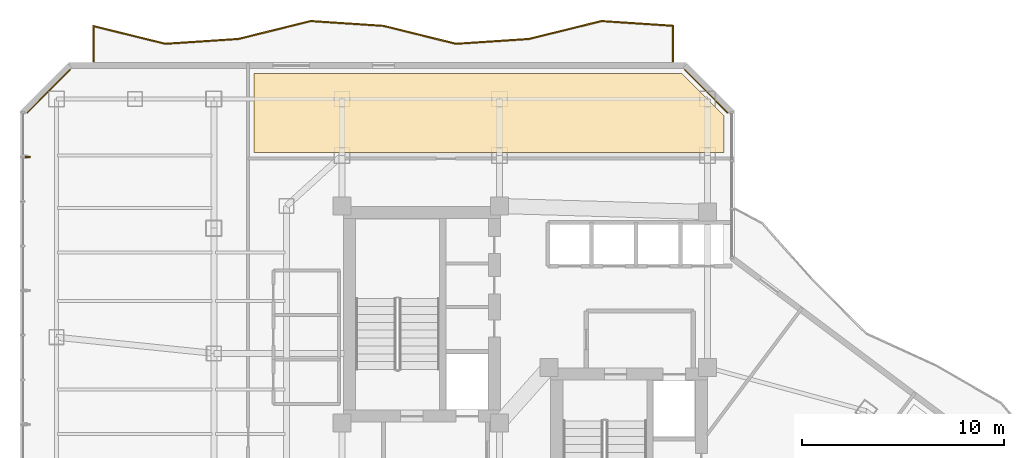
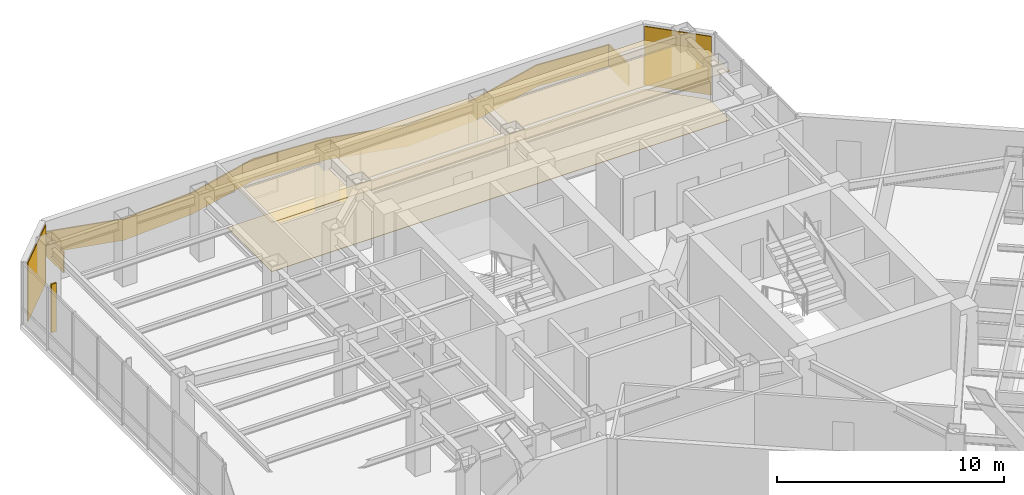
# One storey, part 28 of 28: 4 coverings, 1 railing, 1 shading device.
"""IFC4 building model written with IfcOpenShell, lengths in metres."""

import ifcopenshell
import ifcopenshell.guid

model = None  # the IFC model being written
_history = None  # IfcOwnerHistory: only IFC2X3 demands one
_inside = {}  # id of a spatial element -> (the spatial element, [elements in it])
_under = {}  # id of a project, library or spatial element -> (it, [spatial elements below it])
_declared = {}  # id of a project -> (the project, [libraries it declares])
_typed = {}  # id of a type object -> (the type object, [elements of that type])
_made_of = {}  # id of a material, layer set ... -> (it, [elements and type objects made of it])


def new_model(schema):
    """Start an empty IFC model of exactly this schema.

    Asked for "IFC4X3", IfcOpenShell would pick the latest addendum, in which some entities
    have other attributes; the version numbers below select the first issue.
    IFC2X3 requires an IfcOwnerHistory on every rooted entity: one is made here for all.
    """
    global model, _history
    if schema == "IFC4X3":
        model = ifcopenshell.file(schema_version=(4, 3, 0, 0))
    else:
        model = ifcopenshell.file(schema=schema)
    _inside.clear()
    _under.clear()
    _declared.clear()
    _typed.clear()
    _made_of.clear()
    _history = None
    if model.schema == "IFC2X3":
        org = make("IfcOrganization", Name="unknown")
        user = make(
            "IfcPersonAndOrganization",
            ThePerson=make("IfcPerson", FamilyName="unknown"),
            TheOrganization=org,
        )
        app = make(
            "IfcApplication",
            ApplicationDeveloper=org,
            Version="unknown",
            ApplicationFullName="unknown",
            ApplicationIdentifier="unknown",
        )
        _history = make(
            "IfcOwnerHistory",
            OwningUser=user,
            OwningApplication=app,
            ChangeAction="ADDED",
            CreationDate=0,
        )
    return model


def make(cls, **values):
    """One entity of the class cls with the attributes given. An attribute that is None is left unset."""
    return model.create_entity(
        cls, **{name: value for name, value in values.items() if value is not None}
    )


def rooted(cls, **values):
    """An entity with a GlobalId (a new one), such as an element, a storey or a relation."""
    return make(cls, GlobalId=ifcopenshell.guid.new(), OwnerHistory=_history, **values)


def si_unit(unit_type, name, prefix=None):
    """IfcSIUnit, for example si_unit("LENGTHUNIT", "METRE", prefix="MILLI")."""
    return make("IfcSIUnit", UnitType=unit_type, Prefix=prefix, Name=name)


def assignment(units):
    """IfcUnitAssignment: the units of a project."""
    return None if units is None else make("IfcUnitAssignment", Units=units)


def point(xyz):
    """IfcCartesianPoint."""
    return None if xyz is None else make("IfcCartesianPoint", Coordinates=xyz)


def direction(xyz):
    """IfcDirection."""
    return None if xyz is None else make("IfcDirection", DirectionRatios=xyz)


def frame(location, z_axis=None, x_axis=None):
    """IfcAxis2Placement3D, a coordinate frame: its origin and axes. An axis left out is left unset."""
    return make(
        "IfcAxis2Placement3D",
        Location=point(location),
        Axis=direction(z_axis),
        RefDirection=direction(x_axis),
    )


def frame_2d(location, x_axis=None):
    """IfcAxis2Placement2D, a coordinate frame in the plane: its origin and x axis."""
    return make(
        "IfcAxis2Placement2D", Location=point(location), RefDirection=direction(x_axis)
    )


def origin():
    """The frame at (0, 0, 0) with its axes left unset."""
    return frame((0.0, 0.0, 0.0))


def origin_2d():
    """The frame at (0, 0) in the plane with its x axis left unset."""
    return frame_2d((0.0, 0.0))


def place(relative_to, where):
    """IfcLocalPlacement: puts the frame where relative to a parent placement (None: the world)."""
    return make(
        "IfcLocalPlacement", PlacementRelTo=relative_to, RelativePlacement=where
    )


def context(
    kind, dimensions, precision=None, world=None, true_north=None, identifier=None
):
    """IfcGeometricRepresentationContext, for example the 3D "Model" context."""
    return make(
        "IfcGeometricRepresentationContext",
        ContextIdentifier=identifier,
        ContextType=kind,
        CoordinateSpaceDimension=dimensions,
        Precision=precision,
        WorldCoordinateSystem=world,
        TrueNorth=true_north,
    )


def subcontext(parent, identifier, kind, view, scale=None):
    """IfcGeometricRepresentationSubContext, for example "Body" below "Model"."""
    return make(
        "IfcGeometricRepresentationSubContext",
        ContextIdentifier=identifier,
        ContextType=kind,
        ParentContext=parent,
        TargetScale=scale,
        TargetView=view,
    )


def project(units=None, contexts=None):
    """IfcProject with its units and contexts."""
    return rooted(
        "IfcProject",
        Name="project",
        RepresentationContexts=contexts,
        UnitsInContext=assignment(units),
    )


def spatial(cls, under=None, at=None, **own):
    """A site, building, storey or space (cls), placed at a placement, below another one or the project."""
    s = rooted(cls, ObjectPlacement=at, **own)
    if under is not None:
        _under.setdefault(under.id(), (under, []))[1].append(s)
    return s


def polyline(points):
    """IfcPolyline through the points."""
    return make("IfcPolyline", Points=[point(p) for p in points])


def profile(cls, at=None, kind="AREA", **sizes):
    """A parametric profile (cls). Its sizes go by their IFC names, for example OverallWidth=200.0."""
    return make(cls, ProfileType=kind, Position=at, **sizes)


def rectangle(**sizes):
    """IfcRectangleProfileDef."""
    return profile("IfcRectangleProfileDef", **sizes)


def outline(outer, holes=None, kind="AREA"):
    """IfcArbitraryClosedProfileDef: a profile drawn as a closed curve; with holes, ...WithVoids."""
    if holes is None:
        return make("IfcArbitraryClosedProfileDef", ProfileType=kind, OuterCurve=outer)
    return make(
        "IfcArbitraryProfileDefWithVoids",
        ProfileType=kind,
        OuterCurve=outer,
        InnerCurves=holes,
    )


def extrude(swept, where, along, depth):
    """IfcExtrudedAreaSolid: the profile swept, set in the frame where, extruded along a direction by depth."""
    return make(
        "IfcExtrudedAreaSolid",
        SweptArea=swept,
        Position=where,
        ExtrudedDirection=direction(along),
        Depth=depth,
    )


def shape(context_of_items, identifier, shape_type, items):
    """IfcShapeRepresentation: the items that make up one representation, for example the "Body"."""
    return make(
        "IfcShapeRepresentation",
        ContextOfItems=context_of_items,
        RepresentationIdentifier=identifier,
        RepresentationType=shape_type,
        Items=items,
    )


def material(Name=None, Category=None):
    """IfcMaterial."""
    return make("IfcMaterial", Name=Name, Category=Category)


def layer(
    of_material, thickness, ventilated=None, Name=None, Category=None, Priority=None
):
    """IfcMaterialLayer: one layer of a wall or slab, of a material (None: an air gap)."""
    return make(
        "IfcMaterialLayer",
        Material=of_material,
        LayerThickness=thickness,
        IsVentilated=ventilated,
        Name=Name,
        Category=Category,
        Priority=Priority,
    )


def layer_set(layers, Name=None):
    """IfcMaterialLayerSet."""
    return make("IfcMaterialLayerSet", MaterialLayers=layers, LayerSetName=Name)


def made_of(thing, what):
    """Note that an element or type object is made of a material, layer set ...; save() writes the relation."""
    if what is not None:
        _made_of.setdefault(what.id(), (what, []))[1].append(thing)
    return thing


def type_object(cls, material=None, **own):
    """A type object (cls), such as IfcWallType, which elements share."""
    return made_of(rooted(cls, **own), material)


def element(
    cls,
    number,
    at=None,
    inside=None,
    cuts=None,
    type_object=None,
    material=None,
    context=None,
    identifier="Body",
    shape_type=None,
    held_by="IfcProductDefinitionShape",
    body=None,
    shapes=None,
    **own,
):
    """One element of the class cls, such as IfcWall. Its Tag is "e" and its number.

    at: its placement. inside: the storey or other place that contains it. cuts: it is an
    opening in that element (IfcRelVoidsElement). A single representation is given by context,
    identifier, shape_type and body (its items); several are given by shapes. held_by: the class
    of the entity that holds the representations. save() writes the other relations.
    """
    e = rooted(cls, Tag="e%d" % number, ObjectPlacement=at, **own)
    if body is not None:
        shapes = [shape(context, identifier, shape_type, body)]
    if shapes is not None:
        e.Representation = make(held_by, Representations=shapes)
    if inside is not None:
        _inside.setdefault(inside.id(), (inside, []))[1].append(e)
    if cuts is not None:
        rooted(
            "IfcRelVoidsElement", RelatingBuildingElement=cuts, RelatedOpeningElement=e
        )
    if type_object is not None:
        _typed.setdefault(type_object.id(), (type_object, []))[1].append(e)
    return made_of(e, material)


def aggregate(whole, parts):
    """IfcRelAggregates: a whole, such as a stair, and the parts it consists of."""
    return rooted("IfcRelAggregates", RelatingObject=whole, RelatedObjects=parts)


def save(model, path):
    """Write the relations noted so far, then the file.

    IfcRelAggregates (storeys below a building ...), IfcRelContainedInSpatialStructure (elements
    in a storey), IfcRelDefinesByType, IfcRelAssociatesMaterial and IfcRelDeclares: one each for
    every whole, place, type object, material and project.
    """
    for whole, parts in _under.values():
        aggregate(whole, parts)
    for where, things in _inside.values():
        rooted(
            "IfcRelContainedInSpatialStructure",
            RelatedElements=things,
            RelatingStructure=where,
        )
    for kind, things in _typed.values():
        rooted("IfcRelDefinesByType", RelatedObjects=things, RelatingType=kind)
    for what, things in _made_of.values():
        rooted("IfcRelAssociatesMaterial", RelatedObjects=things, RelatingMaterial=what)
    for by, libraries in _declared.values():
        rooted("IfcRelDeclares", RelatingContext=by, RelatedDefinitions=libraries)
    model.write(path)


model = new_model("IFC4")

# Units and contexts
model_context = context("Model", 3, precision=1e-05, world=origin(), true_north=direction((0.0, 1.0)))
body_context = subcontext(model_context, "Body", "Model", "MODEL_VIEW")
ifc_project = project(units=[si_unit("LENGTHUNIT", "METRE"), si_unit("AREAUNIT", "SQUARE_METRE"), si_unit("VOLUMEUNIT", "CUBIC_METRE"), si_unit("PLANEANGLEUNIT", "RADIAN"), si_unit("MASSUNIT", "GRAM", prefix="KILO")], contexts=[model_context])

# Site, building, storey
site_placement = place(None, origin())
site = spatial("IfcSite", under=ifc_project, at=site_placement, CompositionType="ELEMENT")
building_placement = place(site_placement, origin())
building = spatial("IfcBuilding", under=site, at=building_placement, Name="Hatsunagi Terrace Concourse", CompositionType="ELEMENT")
storey_placement = place(building_placement, frame((0.0, 0.0, 170.85009765625)))
storey = spatial("IfcBuildingStorey", under=building, at=storey_placement, Name="L45", CompositionType="ELEMENT", Elevation=170.85009765625)

# Railing
ifc_material_1 = material(Name="Laminated Glass and Stainless Steel Guard", Category="steel")
ifc_layer_1 = layer(ifc_material_1, 0.070068359375)
ifc_layer_set_1 = layer_set([ifc_layer_1], Name="BalconyGlassGuardRail_1150")
railing_type = type_object("IfcRailingType", Name="BalconyGlassGuardRail_1150", PredefinedType="BALUSTRADE", material=ifc_layer_set_1)
railing_placement = place(storey_placement, origin())
element("IfcRailing", 1, at=railing_placement, inside=storey, type_object=railing_type, Name="Engawa Balcony Guard GRD-01 L45-BN-1", PredefinedType="BALUSTRADE", context=body_context, shape_type="SweptSolid", body=[
    extrude(outline(polyline([(13.215087890625, 50.449951171875), (13.284912109375, 50.449951171875), (13.284912109375, 52.166259765625), (16.79296875, 51.3017578125), (20.413330078125, 51.540283203125), (24.007080078125, 52.427734375), (27.586669921875, 52.190185546875), (31.19287109375, 51.3017578125), (34.8134765625, 51.540283203125), (38.406982421875, 52.427734375), (41.9150390625, 52.1953125), (41.9150390625, 50.449951171875), (41.985107421875, 50.449951171875), (41.985107421875, 52.2607421875), (38.40087890625, 52.498291015625), (34.802490234375, 51.609619140625), (31.19921875, 51.372314453125), (27.597412109375, 52.259765625), (24.0009765625, 52.498291015625), (20.402587890625, 51.609619140625), (16.799072265625, 51.372314453125), (13.215087890625, 52.255615234375), (13.215087890625, 50.449951171875)])), origin(), (0.0, 0.0, 1.0), 1.14990234375),
])

# Covering
ifc_material_2 = material(Name="Granite stone paving", Category="masonry")
ifc_layer_2 = layer(ifc_material_2, 0.02490234375)
ifc_layer_set_2 = layer_set([ifc_layer_2], Name="GraniteStoneFlooring_25")
covering_type_1 = type_object("IfcCoveringType", Name="GraniteStoneFlooring_25", PredefinedType="FLOORING", material=ifc_layer_set_2)
covering_1_placement = place(storey_placement, origin())
element("IfcCovering", 2, at=covering_1_placement, inside=storey, type_object=covering_type_1, Name="Finished Flooring L45-2", PredefinedType="FLOORING", context=body_context, shape_type="SweptSolid", body=[
    extrude(outline(polyline([(42.3798828125, 49.8701171875), (21.199951171875, 49.8701171875), (21.199951171875, 45.949951171875), (44.469970703125, 45.949951171875), (44.469970703125, 47.780029296875), (42.3798828125, 49.8701171875)])), origin(), (0.0, 0.0, 1.0), 0.02490234375),
])

# Shading device
ifc_material_3 = material(Name="Extruded Unglazed Terracotta Baguette", Category="masonry")
shading_device_type = type_object("IfcShadingDeviceType", Name="TerracottaFinScreen_260x70", PredefinedType="USERDEFINED", material=ifc_material_3)
shading_device_placement = place(storey_placement, frame((9.989990234375, 45.73388671875, 0.849853515625), z_axis=(0.0, 0.0, 1.0), x_axis=(0.0, 1.0, 0.0)))
element("IfcShadingDevice", 3, at=shading_device_placement, inside=storey, type_object=shading_device_type, Name="Terracotta Baguette Fin Screen SCR-01", ObjectType="SUNSHADE", PredefinedType="USERDEFINED", context=body_context, shape_type="SweptSolid", body=[
    extrude(rectangle(XDim=0.070068359375, YDim=0.260009765625, at=origin_2d()), origin(), (0.0, 0.0, 1.0), 2.60009765625),
])

# Coverings
ifc_material_4 = material(Name="Unglazed Warm Terracotta Rainscreen Tile", Category="masonry")
ifc_layer_3 = layer(ifc_material_4, 0.044921875)
ifc_layer_set_3 = layer_set([ifc_layer_3], Name="TerracottaRainscreenCladding_45")
covering_type_2 = type_object("IfcCoveringType", Name="TerracottaRainscreenCladding_45", PredefinedType="CLADDING", material=ifc_layer_set_3)
for number, where, z_axis, x_axis, name in (
    (4, (11.013916015625, 48.986083984375, 0.099853515625), (0.0, 0.0, 1.0), (0.707106781187, 0.707106781187, 0.0), "Terracotta Rainscreen Cladding L45-10"),
    (5, (43.5859375, 48.986083984375, 0.099853515625), (0.0, 0.0, 1.0), (0.707106781187, -0.707106781187, 0.0), "Terracotta Rainscreen Cladding L45-12"),
):
    element("IfcCovering", number, at=place(storey_placement, frame(where, z_axis=z_axis, x_axis=x_axis)), inside=storey, type_object=covering_type_2, Name=name, PredefinedType="CLADDING", context=body_context, shape_type="SweptSolid", body=[
        extrude(rectangle(XDim=3.0380859375, YDim=0.044921875, at=origin_2d()), origin(), (0.0, 0.0, 1.0), 3.14990234375),
    ])
ifc_material_5 = material(Name="Hardwood timber", Category="wood")
ifc_layer_4 = layer(ifc_material_5, 0.034912109375)
ifc_layer_set_4 = layer_set([ifc_layer_4], Name="TimberBaffleCeiling_35")
covering_type_3 = type_object("IfcCoveringType", Name="TimberBaffleCeiling_35", PredefinedType="CEILING", material=ifc_layer_set_4)
covering_2_placement = place(storey_placement, frame((0.0, 0.0, 2.6298828125)))
element("IfcCovering", 6, at=covering_2_placement, inside=storey, type_object=covering_type_3, Name="Suspended Ceiling L45-2", PredefinedType="CEILING", context=body_context, shape_type="SweptSolid", body=[
    extrude(outline(polyline([(42.3798828125, 49.8701171875), (21.199951171875, 49.8701171875), (21.199951171875, 45.949951171875), (44.469970703125, 45.949951171875), (44.469970703125, 47.780029296875), (42.3798828125, 49.8701171875)])), origin(), (0.0, 0.0, 1.0), 0.034912109375),
])

save(model, "model.ifc")
